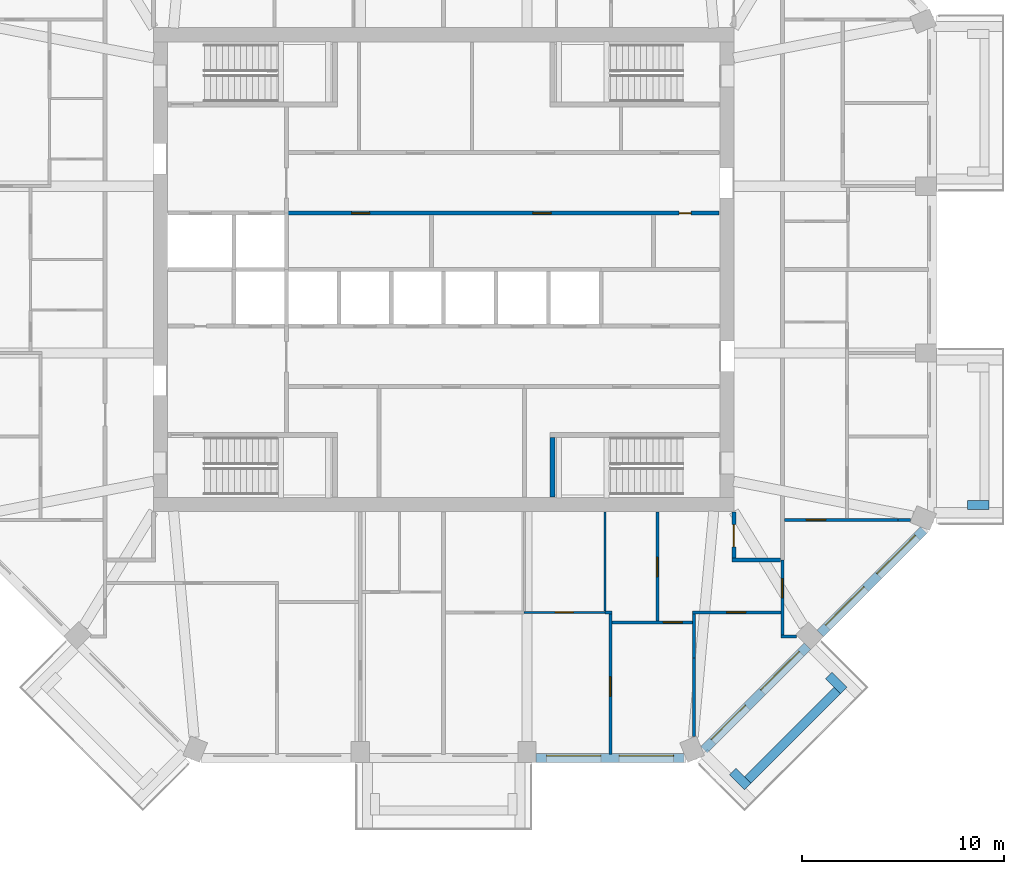
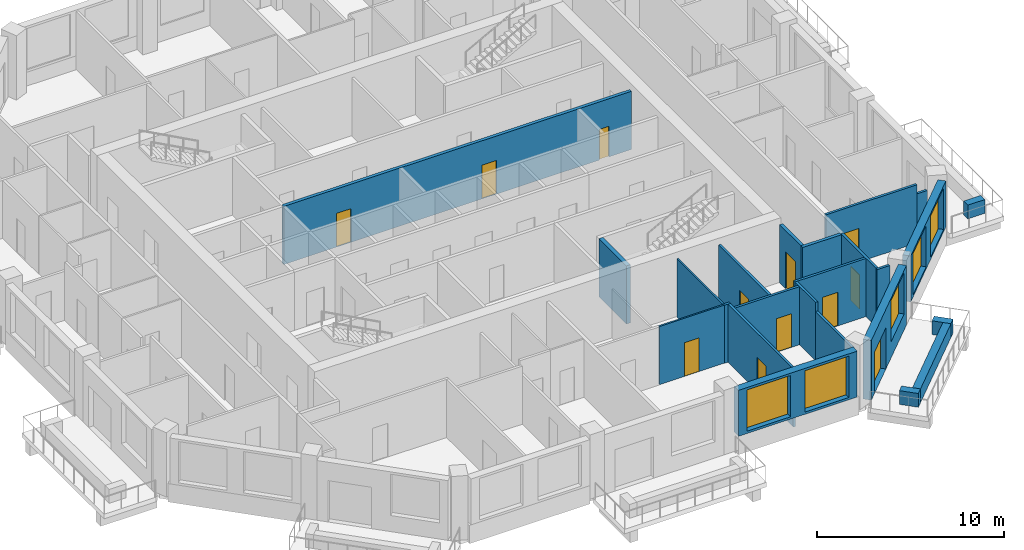
# One storey, part 5 of 12: 24 walls, 12 doors, 5 windows, 17 openings.
"""IFC4 building model written with IfcOpenShell, lengths in metres."""

from ifc_helpers import new_model, si_unit, direction, frame, frame_2d, origin, place, context, subcontext, project, spatial, rectangle, extrude, material, layer, layer_set, type_object, element, fill, save


model = new_model("IFC4")

# Units and contexts
model_context = context("Model", 3, precision=1e-05, world=origin(), true_north=direction((0.0, 1.0)))
body_context = subcontext(model_context, "Body", "Model", "MODEL_VIEW")
ifc_project = project(units=[si_unit("LENGTHUNIT", "METRE"), si_unit("AREAUNIT", "SQUARE_METRE"), si_unit("VOLUMEUNIT", "CUBIC_METRE"), si_unit("PLANEANGLEUNIT", "RADIAN"), si_unit("MASSUNIT", "GRAM", prefix="KILO")], contexts=[model_context])

# Site, building, storey
site_placement = place(None, origin())
site = spatial("IfcSite", under=ifc_project, at=site_placement, CompositionType="ELEMENT")
building_placement = place(site_placement, origin())
building = spatial("IfcBuilding", under=site, at=building_placement, Name="Msitu Wima Residences", CompositionType="ELEMENT")
storey_placement = place(building_placement, frame((0.0, 0.0, 204.300048828125)))
storey = spatial("IfcBuildingStorey", under=building, at=storey_placement, Name="L47", CompositionType="ELEMENT", Elevation=204.300048828125)

# Walls
ifc_material_1 = material(Name="Facing brick")
ifc_layer_1 = layer(ifc_material_1, 0.06494140625, Name="Facing brick")
ifc_material_2 = material(Name="Concrete C40/50", Category="concrete")
ifc_layer_2 = layer(ifc_material_2, 0.156005859375, Name="Concrete C40/50")
ifc_material_3 = material(Name="Waterproofing membrane")
ifc_layer_3 = layer(ifc_material_3, 0.00390625, Name="Waterproofing membrane")
ifc_material_4 = material(Name="Planting soil and planting")
ifc_layer_4 = layer(ifc_material_4, 0.22509765625, Name="Planting soil and planting")
ifc_layer_set_1 = layer_set([ifc_layer_1, ifc_layer_2, ifc_layer_3, ifc_layer_4], Name="Concrete C40/50")
wall_type_1 = type_object("IfcWallType", Name="Balcony planter PLANTER PL450", PredefinedType="USERDEFINED", material=ifc_layer_set_1)
wall_1_placement = place(storey_placement, frame((26.0, -11.686767578125, 0.0), z_axis=(0.0, 0.0, 1.0), x_axis=(1.0, 0.0, 0.0)))
element("IfcWall", 1, at=wall_1_placement, inside=storey, type_object=wall_type_1, Name="Balcony planter E0 L47", ObjectType="PLANTER", PredefinedType="USERDEFINED", context=body_context, shape_type="SweptSolid", body=[
    extrude(rectangle(XDim=1.050048828125, YDim=0.449951171875, at=frame_2d((0.52490234375, 0.0))), origin(), (0.0, 0.0, 1.0), 0.89990234375),
])
wall_2_placement = place(storey_placement, frame((15.0810546875, -25.325927734375, 0.0), z_axis=(0.0, 0.0, 1.0), x_axis=(0.707106781187, 0.707106781187, 0.0)))
element("IfcWall", 2, at=wall_2_placement, inside=storey, type_object=wall_type_1, Name="Balcony planter SE0 L47", ObjectType="PLANTER", PredefinedType="USERDEFINED", context=body_context, shape_type="SweptSolid", body=[
    extrude(rectangle(XDim=6.294189453125, YDim=0.449951171875, at=frame_2d((3.14697265625, 0.0))), origin(), (0.0, 0.0, 1.0), 0.89990234375),
])
for number, where, z_axis, x_axis, name in (
    (3, (14.338623046875, -24.901611328125, 0.0), (0.0, 0.0, 1.0), (0.707106781187, -0.707106781187, 0.0), "Balcony planter SE0 L47"),
    (4, (19.107421875, -20.1328125, 0.0), (0.0, 0.0, 1.0), (0.707106781187, -0.707106781187, 0.0), "Balcony planter SE0 L47"),
):
    element("IfcWall", number, at=place(storey_placement, frame(where, z_axis=z_axis, x_axis=x_axis)), inside=storey, type_object=wall_type_1, Name=name, ObjectType="PLANTER", PredefinedType="USERDEFINED", context=body_context, shape_type="SweptSolid", body=[
        extrude(rectangle(XDim=1.050048828125, YDim=0.449951171875, at=frame_2d((0.52490234375, 0.0))), origin(), (0.0, 0.0, 1.0), 0.89990234375),
    ])

# Wall, openings, windows
ifc_material_5 = material(Name="Brick (red buff mix)", Category="masonry")
ifc_layer_5 = layer(ifc_material_5, 0.449951171875)
ifc_layer_set_2 = layer_set([ifc_layer_5], Name="Brick (red buff mix)")
wall_type_2 = type_object("IfcWallType", Name="Brick infill wall BW450", PredefinedType="SOLIDWALL", material=ifc_layer_set_2)
wall_3_placement = place(storey_placement, frame((4.587158203125, -24.22509765625, 0.89990234375), z_axis=(0.0, 0.0, 1.0), x_axis=(1.0, 0.0, 0.0)))
wall_3 = element("IfcWall", 5, at=wall_3_placement, inside=storey, type_object=wall_type_2, Name="Brick infill wall L47 S2", PredefinedType="SOLIDWALL", context=body_context, shape_type="SweptSolid", body=[
    extrude(rectangle(XDim=7.337646484375, YDim=0.449951171875, at=frame_2d((3.6689453125, 0.0))), origin(), (0.0, 0.0, 1.0), 3.0),
])
opening_1_placement = place(wall_3_placement, frame((0.518798828125, 0.0, 0.14990234375)))
opening_1 = element("IfcOpeningElement", 6, at=opening_1_placement, cuts=wall_3, Name="Opening W47.019", PredefinedType="OPENING", context=body_context, shape_type="SweptSolid", body=[
    extrude(rectangle(XDim=2.699951171875, YDim=2.699951171875, at=frame_2d((1.35009765625, 1.35009765625))), frame((0.0, 0.23486328125, 0.0), z_axis=(0.0, -1.0, 0.0), x_axis=(1.0, 0.0, 0.0)), (0.0, 0.0, 1.0), 0.469970703125),
])
opening_2_placement = place(wall_3_placement, frame((4.11865234375, 0.0, 0.14990234375)))
opening_2 = element("IfcOpeningElement", 7, at=opening_2_placement, cuts=wall_3, Name="Opening W47.020", PredefinedType="OPENING", context=body_context, shape_type="SweptSolid", body=[
    extrude(rectangle(XDim=2.699951171875, YDim=2.699951171875, at=frame_2d((1.35009765625, 1.35009765625))), frame((0.0, 0.23486328125, 0.0), z_axis=(0.0, -1.0, 0.0), x_axis=(1.0, 0.0, 0.0)), (0.0, 0.0, 1.0), 0.469970703125),
])
ifc_material_6 = material(Name="Anodised aluminium, bronze finish, clear low-emissivity double glazing", Category="aluminium")
window_type = type_object("IfcWindowType", Name="Window W2700x2700", PartitioningType="DOUBLE_PANEL_VERTICAL", PredefinedType="WINDOW", material=ifc_material_6)
window_1_placement = place(opening_1_placement, origin())
window_1 = element("IfcWindow", 8, at=window_1_placement, inside=storey, type_object=window_type, Name="Window L47 S2.1", OverallHeight=2.699951171875, OverallWidth=2.699951171875, PartitioningType="SINGLE_PANEL", PredefinedType="WINDOW", context=body_context, shape_type="SweptSolid", body=[
    extrude(rectangle(XDim=2.699951171875, YDim=2.699951171875, at=frame_2d((1.35009765625, 1.35009765625))), frame((0.0, 0.135009765625, 0.0), z_axis=(0.0, -1.0, 0.0), x_axis=(1.0, 0.0, 0.0)), (0.0, 0.0, 1.0), 0.06005859375),
])
fill(opening_1, window_1)
window_2_placement = place(opening_2_placement, origin())
window_2 = element("IfcWindow", 9, at=window_2_placement, inside=storey, type_object=window_type, Name="Window L47 S2.2", OverallHeight=2.699951171875, OverallWidth=2.699951171875, PartitioningType="SINGLE_PANEL", PredefinedType="WINDOW", context=body_context, shape_type="SweptSolid", body=[
    extrude(rectangle(XDim=2.699951171875, YDim=2.699951171875, at=frame_2d((1.35009765625, 1.35009765625))), frame((0.0, 0.135009765625, 0.0), z_axis=(0.0, -1.0, 0.0), x_axis=(1.0, 0.0, 0.0)), (0.0, 0.0, 1.0), 0.06005859375),
])
fill(opening_2, window_2)

# Wall, openings, door, window
wall_4_placement = place(storey_placement, frame((12.915283203125, -23.814697265625, 0.0), z_axis=(0.0, 0.0, 1.0), x_axis=(0.707106781187, 0.707106781187, 0.0)))
wall_4 = element("IfcWall", 10, at=wall_4_placement, inside=storey, type_object=wall_type_2, Name="Brick infill wall L47 SE0", PredefinedType="SOLIDWALL", context=body_context, shape_type="SweptSolid", body=[
    extrude(rectangle(XDim=7.257080078125, YDim=0.449951171875, at=frame_2d((3.62841796875, 0.0))), origin(), (0.0, 0.0, 1.0), 3.89990234375),
])
opening_3_placement = place(wall_4_placement, frame((0.6142578125, 0.0, 0.0)))
opening_3 = element("IfcOpeningElement", 11, at=opening_3_placement, cuts=wall_4, Name="Opening D47.007", PredefinedType="OPENING", context=body_context, shape_type="SweptSolid", body=[
    extrude(rectangle(XDim=2.39990234375, YDim=2.699951171875, at=frame_2d((1.199951171875, 1.35009765625))), frame((0.0, 0.23486328125, 0.0), z_axis=(0.0, -1.0, 0.0), x_axis=(1.0, 0.0, 0.0)), (0.0, 0.0, 1.0), 0.469970703125),
])
opening_4_placement = place(wall_4_placement, frame((4.07861328125, 0.0, 1.050048828125)))
opening_4 = element("IfcOpeningElement", 12, at=opening_4_placement, cuts=wall_4, Name="Opening W47.021", PredefinedType="OPENING", context=body_context, shape_type="SweptSolid", body=[
    extrude(rectangle(XDim=2.699951171875, YDim=2.699951171875, at=frame_2d((1.35009765625, 1.35009765625))), frame((0.0, 0.23486328125, 0.0), z_axis=(0.0, -1.0, 0.0), x_axis=(1.0, 0.0, 0.0)), (0.0, 0.0, 1.0), 0.469970703125),
])
door_type_1 = type_object("IfcDoorType", Name="Balcony door D2400x2700", OperationType="SLIDING_TO_LEFT", PredefinedType="DOOR", material=ifc_material_6)
door_1_placement = place(opening_3_placement, origin())
door_1 = element("IfcDoor", 13, at=door_1_placement, inside=storey, type_object=door_type_1, Name="Balcony door L47 SE0", OperationType="SINGLE_SWING_LEFT", OverallHeight=2.699951171875, OverallWidth=2.39990234375, PredefinedType="DOOR", context=body_context, shape_type="SweptSolid", body=[
    extrude(rectangle(XDim=2.39990234375, YDim=2.699951171875, at=frame_2d((1.199951171875, 1.35009765625))), frame((0.0, 0.1298828125, 0.0), z_axis=(0.0, -1.0, 0.0), x_axis=(1.0, 0.0, 0.0)), (0.0, 0.0, 1.0), 0.050048828125),
])
fill(opening_3, door_1)
window_3_placement = place(opening_4_placement, origin())
window_3 = element("IfcWindow", 14, at=window_3_placement, inside=storey, type_object=window_type, Name="Window L47 SE0.2", OverallHeight=2.699951171875, OverallWidth=2.699951171875, PartitioningType="SINGLE_PANEL", PredefinedType="WINDOW", context=body_context, shape_type="SweptSolid", body=[
    extrude(rectangle(XDim=2.699951171875, YDim=2.699951171875, at=frame_2d((1.35009765625, 1.35009765625))), frame((0.0, 0.135009765625, 0.0), z_axis=(0.0, -1.0, 0.0), x_axis=(1.0, 0.0, 0.0)), (0.0, 0.0, 1.0), 0.06005859375),
])
fill(opening_4, window_3)

# Wall, openings, windows
wall_5_placement = place(storey_placement, frame((18.68310546875, -18.046875, 0.89990234375), z_axis=(0.0, 0.0, 1.0), x_axis=(0.707106781187, 0.707106781187, 0.0)))
wall_5 = element("IfcWall", 15, at=wall_5_placement, inside=storey, type_object=wall_type_2, Name="Brick infill wall L47 SE1", PredefinedType="SOLIDWALL", context=body_context, shape_type="SweptSolid", body=[
    extrude(rectangle(XDim=7.257080078125, YDim=0.449951171875, at=frame_2d((3.62841796875, 0.0))), origin(), (0.0, 0.0, 1.0), 3.0),
])
opening_5_placement = place(wall_5_placement, frame((0.478515625, 0.0, 0.14990234375)))
opening_5 = element("IfcOpeningElement", 16, at=opening_5_placement, cuts=wall_5, Name="Opening W47.022", PredefinedType="OPENING", context=body_context, shape_type="SweptSolid", body=[
    extrude(rectangle(XDim=2.699951171875, YDim=2.699951171875, at=frame_2d((1.35009765625, 1.35009765625))), frame((0.0, 0.23486328125, 0.0), z_axis=(0.0, -1.0, 0.0), x_axis=(1.0, 0.0, 0.0)), (0.0, 0.0, 1.0), 0.469970703125),
])
opening_6_placement = place(wall_5_placement, frame((4.07861328125, 0.0, 0.14990234375)))
opening_6 = element("IfcOpeningElement", 17, at=opening_6_placement, cuts=wall_5, Name="Opening W47.023", PredefinedType="OPENING", context=body_context, shape_type="SweptSolid", body=[
    extrude(rectangle(XDim=2.699951171875, YDim=2.699951171875, at=frame_2d((1.35009765625, 1.35009765625))), frame((0.0, 0.23486328125, 0.0), z_axis=(0.0, -1.0, 0.0), x_axis=(1.0, 0.0, 0.0)), (0.0, 0.0, 1.0), 0.469970703125),
])
window_4_placement = place(opening_5_placement, origin())
window_4 = element("IfcWindow", 18, at=window_4_placement, inside=storey, type_object=window_type, Name="Window L47 SE1.1", OverallHeight=2.699951171875, OverallWidth=2.699951171875, PartitioningType="SINGLE_PANEL", PredefinedType="WINDOW", context=body_context, shape_type="SweptSolid", body=[
    extrude(rectangle(XDim=2.699951171875, YDim=2.699951171875, at=frame_2d((1.35009765625, 1.35009765625))), frame((0.0, 0.135009765625, 0.0), z_axis=(0.0, -1.0, 0.0), x_axis=(1.0, 0.0, 0.0)), (0.0, 0.0, 1.0), 0.06005859375),
])
fill(opening_5, window_4)
window_5_placement = place(opening_6_placement, origin())
window_5 = element("IfcWindow", 19, at=window_5_placement, inside=storey, type_object=window_type, Name="Window L47 SE1.2", OverallHeight=2.699951171875, OverallWidth=2.699951171875, PartitioningType="SINGLE_PANEL", PredefinedType="WINDOW", context=body_context, shape_type="SweptSolid", body=[
    extrude(rectangle(XDim=2.699951171875, YDim=2.699951171875, at=frame_2d((1.35009765625, 1.35009765625))), frame((0.0, 0.135009765625, 0.0), z_axis=(0.0, -1.0, 0.0), x_axis=(1.0, 0.0, 0.0)), (0.0, 0.0, 1.0), 0.06005859375),
])
fill(opening_6, window_5)

# Wall, opening, door
ifc_material_7 = material(Name="Plaster")
ifc_layer_6 = layer(ifc_material_7, 0.011962890625, Name="Plaster")
ifc_material_8 = material(Name="Concrete blockwork", Category="masonry")
ifc_layer_7 = layer(ifc_material_8, 0.176025390625, Name="Concrete blockwork")
ifc_layer_8 = layer(ifc_material_7, 0.011962890625, Name="Plaster")
ifc_layer_set_3 = layer_set([ifc_layer_6, ifc_layer_7, ifc_layer_8], Name="Concrete blockwork")
wall_type_3 = type_object("IfcWallType", Name="Corridor wall FW200", PredefinedType="PARTITIONING", material=ifc_layer_set_3)
wall_6_placement = place(storey_placement, frame((14.39990234375, -14.300048828125, 0.0), z_axis=(0.0, 0.0, 1.0), x_axis=(0.0, 1.0, 0.0)))
wall_6 = element("IfcWall", 20, at=wall_6_placement, inside=storey, type_object=wall_type_3, Name="Corridor wall", PredefinedType="PARTITIONING", context=body_context, shape_type="SweptSolid", body=[
    extrude(rectangle(XDim=2.27001953125, YDim=0.199951171875, at=frame_2d((1.135009765625, 0.0))), origin(), (0.0, 0.0, 1.0), 3.7978515625),
])
opening_7_placement = place(wall_6_placement, frame((0.550048828125, 0.0, 0.0)))
opening_7 = element("IfcOpeningElement", 21, at=opening_7_placement, cuts=wall_6, Name="Opening D47.046", PredefinedType="OPENING", context=body_context, shape_type="SweptSolid", body=[
    extrude(rectangle(XDim=1.10009765625, YDim=2.39990234375, at=frame_2d((0.550048828125, 1.199951171875))), frame((0.0, 0.10986328125, 0.0), z_axis=(0.0, -1.0, 0.0), x_axis=(1.0, 0.0, 0.0)), (0.0, 0.0, 1.0), 0.219970703125),
])
ifc_material_9 = material(Name="Timber flush door, fire resisting, self-closing", Category="wood")
door_type_2 = type_object("IfcDoorType", Name="Flat entrance door D01 1100x2400", OperationType="SINGLE_SWING_LEFT", PredefinedType="DOOR", material=ifc_material_9)
door_2_placement = place(opening_7_placement, origin())
door_2 = element("IfcDoor", 22, at=door_2_placement, inside=storey, type_object=door_type_2, Name="Flat entrance door", OperationType="SINGLE_SWING_RIGHT", OverallHeight=2.39990234375, OverallWidth=1.10009765625, PredefinedType="DOOR", context=body_context, shape_type="SweptSolid", body=[
    extrude(rectangle(XDim=1.10009765625, YDim=2.39990234375, at=frame_2d((0.550048828125, 1.199951171875))), frame((0.0, 0.02490234375, 0.0), z_axis=(0.0, -1.0, 0.0), x_axis=(1.0, 0.0, 0.0)), (0.0, 0.0, 1.0), 0.050048828125),
])
fill(opening_7, door_2)

# Walls
wall_7_placement = place(storey_placement, frame((14.300048828125, -14.39990234375, 0.0), z_axis=(0.0, 0.0, 1.0), x_axis=(1.0, 0.0, 0.0)))
element("IfcWall", 23, at=wall_7_placement, inside=storey, type_object=wall_type_3, Name="Corridor wall", PredefinedType="PARTITIONING", context=body_context, shape_type="SweptSolid", body=[
    extrude(rectangle(XDim=2.39990234375, YDim=0.199951171875, at=frame_2d((1.199951171875, 0.0))), origin(), (0.0, 0.0, 1.0), 3.7978515625),
])
ifc_layer_9 = layer(ifc_material_7, 0.011962890625, Name="Plaster")
ifc_layer_10 = layer(ifc_material_8, 0.1259765625, Name="Concrete blockwork")
ifc_layer_11 = layer(ifc_material_7, 0.011962890625, Name="Plaster")
ifc_layer_set_4 = layer_set([ifc_layer_9, ifc_layer_10, ifc_layer_11], Name="Concrete blockwork")
wall_type_4 = type_object("IfcWallType", Name="Partition PW150", PredefinedType="PARTITIONING", material=ifc_layer_set_4)
wall_8_placement = place(storey_placement, frame((8.0, -17.0, 0.0), z_axis=(0.0, 0.0, 1.0), x_axis=(1.0, 0.0, 0.0)))
element("IfcWall", 24, at=wall_8_placement, inside=storey, type_object=wall_type_4, Name="Partition", PredefinedType="PARTITIONING", context=body_context, shape_type="SweptSolid", body=[
    extrude(rectangle(XDim=0.349609375, YDim=0.14990234375, at=frame_2d((0.1748046875, 0.0))), origin(), (0.0, 0.0, 1.0), 3.7978515625),
])

# Wall, opening, door
wall_9_placement = place(storey_placement, frame((8.2744140625, -24.054931640625, 0.0), z_axis=(0.0, 0.0, 1.0), x_axis=(0.0, 1.0, 0.0)))
wall_9 = element("IfcWall", 25, at=wall_9_placement, inside=storey, type_object=wall_type_4, Name="Partition", PredefinedType="PARTITIONING", context=body_context, shape_type="SweptSolid", body=[
    extrude(rectangle(XDim=6.97998046875, YDim=0.14990234375, at=frame_2d((3.489990234375, 0.0))), origin(), (0.0, 0.0, 1.0), 3.7978515625),
])
opening_8_placement = place(wall_9_placement, frame((2.89990234375, 0.0, 0.0)))
opening_8 = element("IfcOpeningElement", 26, at=opening_8_placement, cuts=wall_9, Name="Opening D47.054", PredefinedType="OPENING", context=body_context, shape_type="SweptSolid", body=[
    extrude(rectangle(XDim=0.949951171875, YDim=2.199951171875, at=frame_2d((0.47509765625, 1.10009765625))), frame((0.0, 0.0849609375, 0.0), z_axis=(0.0, -1.0, 0.0), x_axis=(1.0, 0.0, 0.0)), (0.0, 0.0, 1.0), 0.169921875),
])
ifc_material_10 = material(Name="Timber flush door", Category="wood")
door_type_3 = type_object("IfcDoorType", Name="Room door D12 950x2200", OperationType="SINGLE_SWING_LEFT", PredefinedType="DOOR", material=ifc_material_10)
door_3_placement = place(opening_8_placement, origin())
door_3 = element("IfcDoor", 27, at=door_3_placement, inside=storey, type_object=door_type_3, Name="Room door", OperationType="SINGLE_SWING_LEFT", OverallHeight=2.199951171875, OverallWidth=0.949951171875, PredefinedType="DOOR", context=body_context, shape_type="SweptSolid", body=[
    extrude(rectangle(XDim=0.949951171875, YDim=2.199951171875, at=frame_2d((0.47509765625, 1.10009765625))), frame((0.0, 0.02490234375, 0.0), z_axis=(0.0, -1.0, 0.0), x_axis=(1.0, 0.0, 0.0)), (0.0, 0.0, 1.0), 0.050048828125),
])
fill(opening_8, door_3)

wall_10_placement = place(storey_placement, frame((8.349609375, -17.5, 0.0), z_axis=(0.0, 0.0, 1.0), x_axis=(1.0, 0.0, 0.0)))
wall_10 = element("IfcWall", 28, at=wall_10_placement, inside=storey, type_object=wall_type_4, Name="Partition", PredefinedType="PARTITIONING", context=body_context, shape_type="SweptSolid", body=[
    extrude(rectangle(XDim=3.987060546875, YDim=0.14990234375, at=frame_2d((1.99365234375, 0.0))), origin(), (0.0, 0.0, 1.0), 3.7978515625),
])
opening_9_placement = place(wall_10_placement, frame((2.550048828125, 0.0, 0.0)))
opening_9 = element("IfcOpeningElement", 29, at=opening_9_placement, cuts=wall_10, Name="Opening D47.051", PredefinedType="OPENING", context=body_context, shape_type="SweptSolid", body=[
    extrude(rectangle(XDim=0.949951171875, YDim=2.199951171875, at=frame_2d((0.47509765625, 1.10009765625))), frame((0.0, 0.0849609375, 0.0), z_axis=(0.0, -1.0, 0.0), x_axis=(1.0, 0.0, 0.0)), (0.0, 0.0, 1.0), 0.169921875),
])
door_4_placement = place(opening_9_placement, origin())
door_4 = element("IfcDoor", 30, at=door_4_placement, inside=storey, type_object=door_type_3, Name="Room door", OperationType="SINGLE_SWING_LEFT", OverallHeight=2.199951171875, OverallWidth=0.949951171875, PredefinedType="DOOR", context=body_context, shape_type="SweptSolid", body=[
    extrude(rectangle(XDim=0.949951171875, YDim=2.199951171875, at=frame_2d((0.47509765625, 1.10009765625))), frame((0.0, 0.02490234375, 0.0), z_axis=(0.0, -1.0, 0.0), x_axis=(1.0, 0.0, 0.0)), (0.0, 0.0, 1.0), 0.050048828125),
])
fill(opening_9, door_4)

wall_11_placement = place(storey_placement, frame((10.60009765625, -17.425048828125, 0.0), z_axis=(0.0, 0.0, 1.0), x_axis=(0.0, 1.0, 0.0)))
wall_11 = element("IfcWall", 31, at=wall_11_placement, inside=storey, type_object=wall_type_4, Name="Partition", PredefinedType="PARTITIONING", context=body_context, shape_type="SweptSolid", body=[
    extrude(rectangle(XDim=5.39501953125, YDim=0.14990234375, at=frame_2d((2.697509765625, 0.0))), origin(), (0.0, 0.0, 1.0), 3.7978515625),
])
opening_10_placement = place(wall_11_placement, frame((2.199951171875, 0.0, 0.0)))
opening_10 = element("IfcOpeningElement", 32, at=opening_10_placement, cuts=wall_11, Name="Opening D47.047", PredefinedType="OPENING", context=body_context, shape_type="SweptSolid", body=[
    extrude(rectangle(XDim=0.949951171875, YDim=2.199951171875, at=frame_2d((0.47509765625, 1.10009765625))), frame((0.0, 0.0849609375, 0.0), z_axis=(0.0, -1.0, 0.0), x_axis=(1.0, 0.0, 0.0)), (0.0, 0.0, 1.0), 0.169921875),
])
door_5_placement = place(opening_10_placement, origin())
door_5 = element("IfcDoor", 33, at=door_5_placement, inside=storey, type_object=door_type_3, Name="Room door", OperationType="SINGLE_SWING_LEFT", OverallHeight=2.199951171875, OverallWidth=0.949951171875, PredefinedType="DOOR", context=body_context, shape_type="SweptSolid", body=[
    extrude(rectangle(XDim=0.949951171875, YDim=2.199951171875, at=frame_2d((0.47509765625, 1.10009765625))), frame((0.0, 0.02490234375, 0.0), z_axis=(0.0, -1.0, 0.0), x_axis=(1.0, 0.0, 0.0)), (0.0, 0.0, 1.0), 0.050048828125),
])
fill(opening_10, door_5)

# Walls
wall_12_placement = place(storey_placement, frame((12.411865234375, -23.1689453125, 0.0), z_axis=(0.0, 0.0, 1.0), x_axis=(0.0, 1.0, 0.0)))
element("IfcWall", 34, at=wall_12_placement, inside=storey, type_object=wall_type_4, Name="Partition", PredefinedType="PARTITIONING", context=body_context, shape_type="SweptSolid", body=[
    extrude(rectangle(XDim=3.8984375, YDim=0.14990234375, at=frame_2d((1.94921875, 0.0))), origin(), (0.0, 0.0, 1.0), 3.199951171875),
])
wall_13_placement = place(storey_placement, frame((12.411865234375, -19.2705078125, 0.0), z_axis=(0.0, 0.0, 1.0), x_axis=(0.0, 1.0, 0.0)))
element("IfcWall", 35, at=wall_13_placement, inside=storey, type_object=wall_type_4, Name="Partition", PredefinedType="PARTITIONING", context=body_context, shape_type="SweptSolid", body=[
    extrude(rectangle(XDim=2.195556640625, YDim=0.14990234375, at=frame_2d((1.09765625, 0.0))), origin(), (0.0, 0.0, 1.0), 3.7978515625),
])

# Wall, opening, door
wall_14_placement = place(storey_placement, frame((12.336669921875, -17.0, 0.0), z_axis=(0.0, 0.0, 1.0), x_axis=(1.0, 0.0, 0.0)))
wall_14 = element("IfcWall", 36, at=wall_14_placement, inside=storey, type_object=wall_type_4, Name="Partition", PredefinedType="PARTITIONING", context=body_context, shape_type="SweptSolid", body=[
    extrude(rectangle(XDim=4.388427734375, YDim=0.14990234375, at=frame_2d((2.1943359375, 0.0))), origin(), (0.0, 0.0, 1.0), 3.7978515625),
])
opening_11_placement = place(wall_14_placement, frame((1.699951171875, 0.0, 0.0)))
opening_11 = element("IfcOpeningElement", 37, at=opening_11_placement, cuts=wall_14, Name="Opening D47.052", PredefinedType="OPENING", context=body_context, shape_type="SweptSolid", body=[
    extrude(rectangle(XDim=0.949951171875, YDim=2.199951171875, at=frame_2d((0.47509765625, 1.10009765625))), frame((0.0, 0.0849609375, 0.0), z_axis=(0.0, -1.0, 0.0), x_axis=(1.0, 0.0, 0.0)), (0.0, 0.0, 1.0), 0.169921875),
])
door_6_placement = place(opening_11_placement, origin())
door_6 = element("IfcDoor", 38, at=door_6_placement, inside=storey, type_object=door_type_3, Name="Room door", OperationType="SINGLE_SWING_RIGHT", OverallHeight=2.199951171875, OverallWidth=0.949951171875, PredefinedType="DOOR", context=body_context, shape_type="SweptSolid", body=[
    extrude(rectangle(XDim=0.949951171875, YDim=2.199951171875, at=frame_2d((0.47509765625, 1.10009765625))), frame((0.0, 0.02490234375, 0.0), z_axis=(0.0, -1.0, 0.0), x_axis=(1.0, 0.0, 0.0)), (0.0, 0.0, 1.0), 0.050048828125),
])
fill(opening_11, door_6)

wall_15_placement = place(storey_placement, frame((16.800048828125, -18.130859375, 0.0), z_axis=(0.0, 0.0, 1.0), x_axis=(0.0, 1.0, 0.0)))
wall_15 = element("IfcWall", 39, at=wall_15_placement, inside=storey, type_object=wall_type_4, Name="Partition", PredefinedType="PARTITIONING", context=body_context, shape_type="SweptSolid", body=[
    extrude(rectangle(XDim=3.73095703125, YDim=0.14990234375, at=frame_2d((1.865478515625, 0.0))), origin(), (0.0, 0.0, 1.0), 3.7978515625),
])
opening_12_placement = place(wall_15_placement, frame((1.85009765625, 0.0, 0.0)))
opening_12 = element("IfcOpeningElement", 40, at=opening_12_placement, cuts=wall_15, Name="Opening D47.053", PredefinedType="OPENING", context=body_context, shape_type="SweptSolid", body=[
    extrude(rectangle(XDim=0.949951171875, YDim=2.199951171875, at=frame_2d((0.47509765625, 1.10009765625))), frame((0.0, 0.0849609375, 0.0), z_axis=(0.0, -1.0, 0.0), x_axis=(1.0, 0.0, 0.0)), (0.0, 0.0, 1.0), 0.169921875),
])
door_7_placement = place(opening_12_placement, origin())
door_7 = element("IfcDoor", 41, at=door_7_placement, inside=storey, type_object=door_type_3, Name="Room door", OperationType="SINGLE_SWING_RIGHT", OverallHeight=2.199951171875, OverallWidth=0.949951171875, PredefinedType="DOOR", context=body_context, shape_type="SweptSolid", body=[
    extrude(rectangle(XDim=0.949951171875, YDim=2.199951171875, at=frame_2d((0.47509765625, 1.10009765625))), frame((0.0, 0.02490234375, 0.0), z_axis=(0.0, -1.0, 0.0), x_axis=(1.0, 0.0, 0.0)), (0.0, 0.0, 1.0), 0.050048828125),
])
fill(opening_12, door_7)

# Wall
wall_16_placement = place(storey_placement, frame((16.72509765625, -18.205810546875, 0.0), z_axis=(0.0, 0.0, 1.0), x_axis=(1.0, 0.0, 0.0)))
element("IfcWall", 42, at=wall_16_placement, inside=storey, type_object=wall_type_4, Name="Partition", PredefinedType="PARTITIONING", context=body_context, shape_type="SweptSolid", body=[
    extrude(rectangle(XDim=0.784423828125, YDim=0.14990234375, at=frame_2d((0.39208984375, 0.0))), origin(), (0.0, 0.0, 1.0), 3.7978515625),
])

# Wall, opening, door
wall_17_placement = place(storey_placement, frame((16.89990234375, -12.409912109375, 0.0), z_axis=(0.0, 0.0, 1.0), x_axis=(1.0, 0.0, 0.0)))
wall_17 = element("IfcWall", 43, at=wall_17_placement, inside=storey, type_object=wall_type_4, Name="Partition", PredefinedType="PARTITIONING", context=body_context, shape_type="SweptSolid", body=[
    extrude(rectangle(XDim=5.62939453125, YDim=0.14990234375, at=frame_2d((2.814697265625, 0.0))), origin(), (0.0, 0.0, 1.0), 3.7978515625),
])
opening_13_placement = place(wall_17_placement, frame((1.10009765625, 0.0, 0.0)))
opening_13 = element("IfcOpeningElement", 44, at=opening_13_placement, cuts=wall_17, Name="Opening D47.055", PredefinedType="OPENING", context=body_context, shape_type="SweptSolid", body=[
    extrude(rectangle(XDim=0.949951171875, YDim=2.199951171875, at=frame_2d((0.47509765625, 1.10009765625))), frame((0.0, 0.0849609375, 0.0), z_axis=(0.0, -1.0, 0.0), x_axis=(1.0, 0.0, 0.0)), (0.0, 0.0, 1.0), 0.169921875),
])
door_8_placement = place(opening_13_placement, origin())
door_8 = element("IfcDoor", 45, at=door_8_placement, inside=storey, type_object=door_type_3, Name="Room door", OperationType="SINGLE_SWING_RIGHT", OverallHeight=2.199951171875, OverallWidth=0.949951171875, PredefinedType="DOOR", context=body_context, shape_type="SweptSolid", body=[
    extrude(rectangle(XDim=0.949951171875, YDim=2.199951171875, at=frame_2d((0.47509765625, 1.10009765625))), frame((0.0, 0.02490234375, 0.0), z_axis=(0.0, -1.0, 0.0), x_axis=(1.0, 0.0, 0.0)), (0.0, 0.0, 1.0), 0.050048828125),
])
fill(opening_13, door_8)

# Wall
wall_18_placement = place(storey_placement, frame((22.529296875, -12.409912109375, 0.0), z_axis=(0.0, 0.0, 1.0), x_axis=(1.0, 0.0, 0.0)))
element("IfcWall", 46, at=wall_18_placement, inside=storey, type_object=wall_type_4, Name="Partition", PredefinedType="PARTITIONING", context=body_context, shape_type="SweptSolid", body=[
    extrude(rectangle(XDim=0.640380859375, YDim=0.14990234375, at=frame_2d((0.3203125, 0.0))), origin(), (0.0, 0.0, 1.0), 3.199951171875),
])

# Wall, openings, doors
ifc_layer_12 = layer(ifc_material_7, 0.011962890625, Name="Plaster")
ifc_material_11 = material(Name="Reinforced concrete blockwork", Category="masonry")
ifc_layer_13 = layer(ifc_material_11, 0.176025390625, Name="Reinforced concrete blockwork")
ifc_layer_14 = layer(ifc_material_7, 0.011962890625, Name="Plaster")
ifc_layer_set_5 = layer_set([ifc_layer_12, ifc_layer_13, ifc_layer_14], Name="Reinforced concrete blockwork")
wall_type_5 = type_object("IfcWallType", Name="Plant and riser wall PL200", PredefinedType="PARTITIONING", material=ifc_layer_set_5)
wall_19_placement = place(storey_placement, frame((-7.820068359375, 2.800048828125, 0.0), z_axis=(0.0, 0.0, 1.0), x_axis=(1.0, 0.0, 0.0)))
wall_19 = element("IfcWall", 47, at=wall_19_placement, inside=storey, type_object=wall_type_5, Name="Plant and riser wall", PredefinedType="PARTITIONING", context=body_context, shape_type="SweptSolid", body=[
    extrude(rectangle(XDim=21.489990234375, YDim=0.199951171875, at=frame_2d((10.7451171875, 0.0))), origin(), (0.0, 0.0, 1.0), 3.7978515625),
])
opening_14_placement = place(wall_19_placement, frame((19.5, 0.0, 0.0)))
opening_14 = element("IfcOpeningElement", 48, at=opening_14_placement, cuts=wall_19, Name="Opening D47.075", PredefinedType="OPENING", context=body_context, shape_type="SweptSolid", body=[
    extrude(rectangle(XDim=0.60009765625, YDim=2.0, at=frame_2d((0.300048828125, 1.0))), frame((0.0, 0.10986328125, 0.0), z_axis=(0.0, -1.0, 0.0), x_axis=(1.0, 0.0, 0.0)), (0.0, 0.0, 1.0), 0.219970703125),
])
opening_15_placement = place(wall_19_placement, frame((3.25, 0.0, 0.0)))
opening_15 = element("IfcOpeningElement", 49, at=opening_15_placement, cuts=wall_19, Name="Opening D47.073", PredefinedType="OPENING", context=body_context, shape_type="SweptSolid", body=[
    extrude(rectangle(XDim=0.89990234375, YDim=2.199951171875, at=frame_2d((0.449951171875, 1.10009765625))), frame((0.0, 0.10986328125, 0.0), z_axis=(0.0, -1.0, 0.0), x_axis=(1.0, 0.0, 0.0)), (0.0, 0.0, 1.0), 0.219970703125),
])
opening_16_placement = place(wall_19_placement, frame((12.25, 0.0, 0.0)))
opening_16 = element("IfcOpeningElement", 50, at=opening_16_placement, cuts=wall_19, Name="Opening D47.074", PredefinedType="OPENING", context=body_context, shape_type="SweptSolid", body=[
    extrude(rectangle(XDim=0.89990234375, YDim=2.199951171875, at=frame_2d((0.449951171875, 1.10009765625))), frame((0.0, 0.10986328125, 0.0), z_axis=(0.0, -1.0, 0.0), x_axis=(1.0, 0.0, 0.0)), (0.0, 0.0, 1.0), 0.219970703125),
])
ifc_material_12 = material(Name="Steel access door, fire resisting", Category="steel")
door_type_4 = type_object("IfcDoorType", Name="Riser access door D08 600x2000", OperationType="SINGLE_SWING_LEFT", PredefinedType="DOOR", material=ifc_material_12)
door_9_placement = place(opening_14_placement, origin())
door_9 = element("IfcDoor", 51, at=door_9_placement, inside=storey, type_object=door_type_4, Name="Riser access door", OperationType="SINGLE_SWING_RIGHT", OverallHeight=2.0, OverallWidth=0.60009765625, PredefinedType="DOOR", context=body_context, shape_type="SweptSolid", body=[
    extrude(rectangle(XDim=0.60009765625, YDim=2.0, at=frame_2d((0.300048828125, 1.0))), frame((0.0, 0.02490234375, 0.0), z_axis=(0.0, -1.0, 0.0), x_axis=(1.0, 0.0, 0.0)), (0.0, 0.0, 1.0), 0.050048828125),
])
fill(opening_14, door_9)
door_type_5 = type_object("IfcDoorType", Name="Service door D05 900x2200", OperationType="SINGLE_SWING_LEFT", PredefinedType="DOOR", material=ifc_material_10)
door_10_placement = place(opening_15_placement, origin())
door_10 = element("IfcDoor", 52, at=door_10_placement, inside=storey, type_object=door_type_5, Name="Service door", OperationType="SINGLE_SWING_LEFT", OverallHeight=2.199951171875, OverallWidth=0.89990234375, PredefinedType="DOOR", context=body_context, shape_type="SweptSolid", body=[
    extrude(rectangle(XDim=0.89990234375, YDim=2.199951171875, at=frame_2d((0.449951171875, 1.10009765625))), frame((0.0, 0.02490234375, 0.0), z_axis=(0.0, -1.0, 0.0), x_axis=(1.0, 0.0, 0.0)), (0.0, 0.0, 1.0), 0.050048828125),
])
fill(opening_15, door_10)
door_11_placement = place(opening_16_placement, origin())
door_11 = element("IfcDoor", 53, at=door_11_placement, inside=storey, type_object=door_type_5, Name="Service door", OperationType="SINGLE_SWING_LEFT", OverallHeight=2.199951171875, OverallWidth=0.89990234375, PredefinedType="DOOR", context=body_context, shape_type="SweptSolid", body=[
    extrude(rectangle(XDim=0.89990234375, YDim=2.199951171875, at=frame_2d((0.449951171875, 1.10009765625))), frame((0.0, 0.02490234375, 0.0), z_axis=(0.0, -1.0, 0.0), x_axis=(1.0, 0.0, 0.0)), (0.0, 0.0, 1.0), 0.050048828125),
])
fill(opening_16, door_11)

# Wall
ifc_material_13 = material(Name="Concrete C50/60", Category="concrete")
ifc_layer_15 = layer(ifc_material_13, 0.25)
ifc_layer_set_6 = layer_set([ifc_layer_15], Name="Concrete C50/60")
wall_type_6 = type_object("IfcWallType", Name="Stair enclosure wall SW250", PredefinedType="SHEAR", material=ifc_layer_set_6)
wall_20_placement = place(storey_placement, frame((5.39990234375, -11.27001953125, 0.0), z_axis=(0.0, 0.0, 1.0), x_axis=(0.0, 1.0, 0.0)))
element("IfcWall", 54, at=wall_20_placement, inside=storey, type_object=wall_type_6, Name="Stair enclosure wall", PredefinedType="SHEAR", context=body_context, shape_type="SweptSolid", body=[
    extrude(rectangle(XDim=2.945068359375, YDim=0.25, at=frame_2d((1.47265625, 0.0))), origin(), (0.0, 0.0, 1.0), 3.7978515625),
])

# Wall, opening, door
ifc_material_14 = material(Name="Ceramic tiles")
ifc_layer_16 = layer(ifc_material_14, 0.008056640625, Name="Ceramic tiles")
ifc_material_15 = material(Name="Moisture-resistant board")
ifc_layer_17 = layer(ifc_material_15, 0.012451171875, Name="Moisture-resistant board")
ifc_material_16 = material(Name="Light-gauge stud framing with mineral wool")
ifc_layer_18 = layer(ifc_material_16, 0.06689453125, Name="Light-gauge stud framing with mineral wool")
ifc_layer_19 = layer(ifc_material_15, 0.012451171875, Name="Moisture-resistant board")
ifc_layer_set_7 = layer_set([ifc_layer_16, ifc_layer_17, ifc_layer_18, ifc_layer_19], Name="Light-gauge stud framing with mineral wool")
wall_type_7 = type_object("IfcWallType", Name="Wet wall PW100", PredefinedType="PARTITIONING", material=ifc_layer_set_7)
wall_21_placement = place(storey_placement, frame((3.97998046875, -17.0, 0.0), z_axis=(0.0, 0.0, 1.0), x_axis=(1.0, 0.0, 0.0)))
wall_21 = element("IfcWall", 55, at=wall_21_placement, inside=storey, type_object=wall_type_7, Name="Wet wall", PredefinedType="PARTITIONING", context=body_context, shape_type="SweptSolid", body=[
    extrude(rectangle(XDim=4.02001953125, YDim=0.10009765625, at=frame_2d((2.010009765625, 0.0))), origin(), (0.0, 0.0, 1.0), 3.7978515625),
])
opening_17_placement = place(wall_21_placement, frame((1.550048828125, 0.0, 0.0)))
opening_17 = element("IfcOpeningElement", 56, at=opening_17_placement, cuts=wall_21, Name="Opening D47.049", PredefinedType="OPENING", context=body_context, shape_type="SweptSolid", body=[
    extrude(rectangle(XDim=0.89990234375, YDim=2.199951171875, at=frame_2d((0.449951171875, 1.10009765625))), frame((0.0, 0.06005859375, 0.0), z_axis=(0.0, -1.0, 0.0), x_axis=(1.0, 0.0, 0.0)), (0.0, 0.0, 1.0), 0.1201171875),
])
ifc_material_17 = material(Name="Timber flush door, moisture resistant", Category="wood")
door_type_6 = type_object("IfcDoorType", Name="Bathroom door D03 900x2200", OperationType="SINGLE_SWING_LEFT", PredefinedType="DOOR", material=ifc_material_17)
door_12_placement = place(opening_17_placement, origin())
door_12 = element("IfcDoor", 57, at=door_12_placement, inside=storey, type_object=door_type_6, Name="Bathroom door", OperationType="SINGLE_SWING_LEFT", OverallHeight=2.199951171875, OverallWidth=0.89990234375, PredefinedType="DOOR", context=body_context, shape_type="SweptSolid", body=[
    extrude(rectangle(XDim=0.89990234375, YDim=2.199951171875, at=frame_2d((0.449951171875, 1.10009765625))), frame((0.0, 0.02490234375, 0.0), z_axis=(0.0, -1.0, 0.0), x_axis=(1.0, 0.0, 0.0)), (0.0, 0.0, 1.0), 0.050048828125),
])
fill(opening_17, door_12)

# Wall
wall_22_placement = place(storey_placement, frame((8.0, -16.925048828125, 0.0), z_axis=(0.0, 0.0, 1.0), x_axis=(0.0, 1.0, 0.0)))
element("IfcWall", 58, at=wall_22_placement, inside=storey, type_object=wall_type_7, Name="Wet wall", PredefinedType="PARTITIONING", context=body_context, shape_type="SweptSolid", body=[
    extrude(rectangle(XDim=4.89501953125, YDim=0.10009765625, at=frame_2d((2.447509765625, 0.0))), origin(), (0.0, 0.0, 1.0), 3.7978515625),
])

save(model, "model.ifc")
